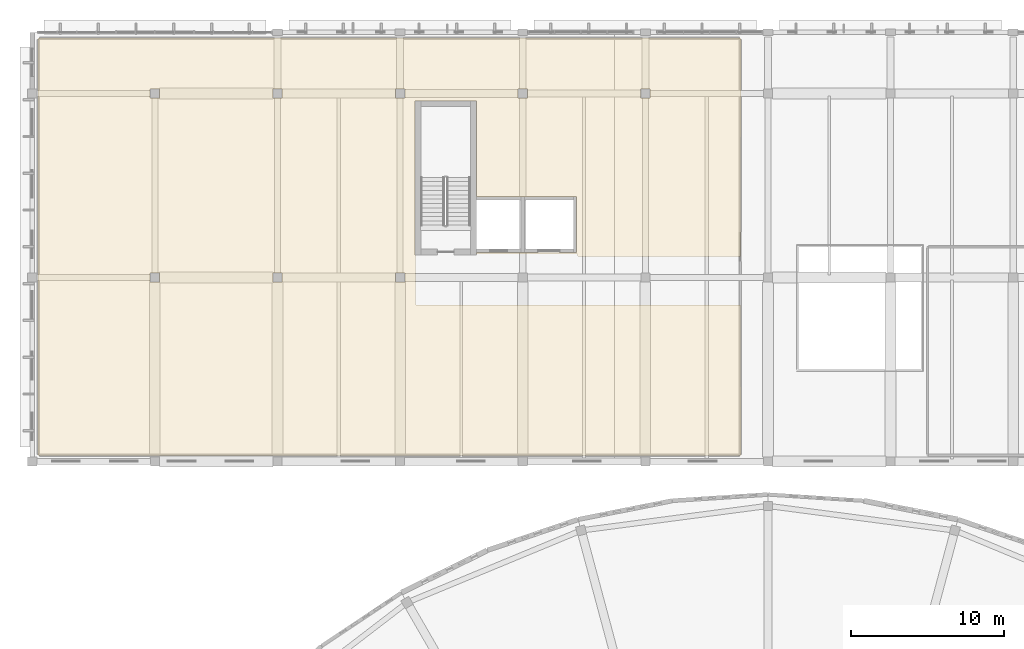
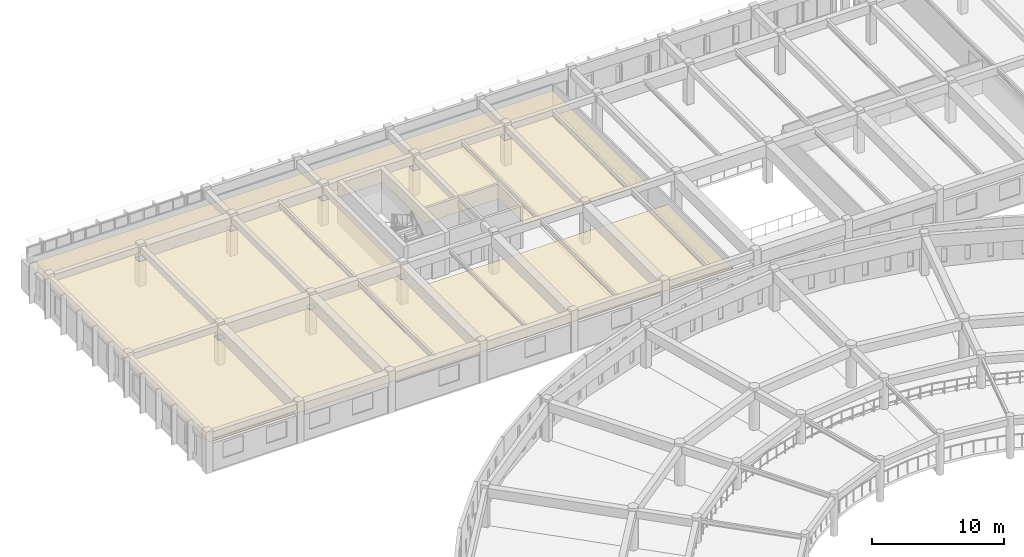
# One storey, part 88 of 98: 1 covering.
"""IFC4 building model written with IfcOpenShell, lengths in metres."""

import ifcopenshell
import ifcopenshell.guid

model = None  # the IFC model being written
_history = None  # IfcOwnerHistory: only IFC2X3 demands one
_inside = {}  # id of a spatial element -> (the spatial element, [elements in it])
_under = {}  # id of a project, library or spatial element -> (it, [spatial elements below it])
_declared = {}  # id of a project -> (the project, [libraries it declares])
_typed = {}  # id of a type object -> (the type object, [elements of that type])
_made_of = {}  # id of a material, layer set ... -> (it, [elements and type objects made of it])


def new_model(schema):
    """Start an empty IFC model of exactly this schema.

    Asked for "IFC4X3", IfcOpenShell would pick the latest addendum, in which some entities
    have other attributes; the version numbers below select the first issue.
    IFC2X3 requires an IfcOwnerHistory on every rooted entity: one is made here for all.
    """
    global model, _history
    if schema == "IFC4X3":
        model = ifcopenshell.file(schema_version=(4, 3, 0, 0))
    else:
        model = ifcopenshell.file(schema=schema)
    _inside.clear()
    _under.clear()
    _declared.clear()
    _typed.clear()
    _made_of.clear()
    _history = None
    if model.schema == "IFC2X3":
        org = make("IfcOrganization", Name="unknown")
        user = make(
            "IfcPersonAndOrganization",
            ThePerson=make("IfcPerson", FamilyName="unknown"),
            TheOrganization=org,
        )
        app = make(
            "IfcApplication",
            ApplicationDeveloper=org,
            Version="unknown",
            ApplicationFullName="unknown",
            ApplicationIdentifier="unknown",
        )
        _history = make(
            "IfcOwnerHistory",
            OwningUser=user,
            OwningApplication=app,
            ChangeAction="ADDED",
            CreationDate=0,
        )
    return model


def make(cls, **values):
    """One entity of the class cls with the attributes given. An attribute that is None is left unset."""
    return model.create_entity(
        cls, **{name: value for name, value in values.items() if value is not None}
    )


def rooted(cls, **values):
    """An entity with a GlobalId (a new one), such as an element, a storey or a relation."""
    return make(cls, GlobalId=ifcopenshell.guid.new(), OwnerHistory=_history, **values)


def si_unit(unit_type, name, prefix=None):
    """IfcSIUnit, for example si_unit("LENGTHUNIT", "METRE", prefix="MILLI")."""
    return make("IfcSIUnit", UnitType=unit_type, Prefix=prefix, Name=name)


def assignment(units):
    """IfcUnitAssignment: the units of a project."""
    return None if units is None else make("IfcUnitAssignment", Units=units)


def point(xyz):
    """IfcCartesianPoint."""
    return None if xyz is None else make("IfcCartesianPoint", Coordinates=xyz)


def direction(xyz):
    """IfcDirection."""
    return None if xyz is None else make("IfcDirection", DirectionRatios=xyz)


def frame(location, z_axis=None, x_axis=None):
    """IfcAxis2Placement3D, a coordinate frame: its origin and axes. An axis left out is left unset."""
    return make(
        "IfcAxis2Placement3D",
        Location=point(location),
        Axis=direction(z_axis),
        RefDirection=direction(x_axis),
    )


def origin():
    """The frame at (0, 0, 0) with its axes left unset."""
    return frame((0.0, 0.0, 0.0))


def place(relative_to, where):
    """IfcLocalPlacement: puts the frame where relative to a parent placement (None: the world)."""
    return make(
        "IfcLocalPlacement", PlacementRelTo=relative_to, RelativePlacement=where
    )


def context(
    kind, dimensions, precision=None, world=None, true_north=None, identifier=None
):
    """IfcGeometricRepresentationContext, for example the 3D "Model" context."""
    return make(
        "IfcGeometricRepresentationContext",
        ContextIdentifier=identifier,
        ContextType=kind,
        CoordinateSpaceDimension=dimensions,
        Precision=precision,
        WorldCoordinateSystem=world,
        TrueNorth=true_north,
    )


def subcontext(parent, identifier, kind, view, scale=None):
    """IfcGeometricRepresentationSubContext, for example "Body" below "Model"."""
    return make(
        "IfcGeometricRepresentationSubContext",
        ContextIdentifier=identifier,
        ContextType=kind,
        ParentContext=parent,
        TargetScale=scale,
        TargetView=view,
    )


def project(units=None, contexts=None):
    """IfcProject with its units and contexts."""
    return rooted(
        "IfcProject",
        Name="project",
        RepresentationContexts=contexts,
        UnitsInContext=assignment(units),
    )


def spatial(cls, under=None, at=None, **own):
    """A site, building, storey or space (cls), placed at a placement, below another one or the project."""
    s = rooted(cls, ObjectPlacement=at, **own)
    if under is not None:
        _under.setdefault(under.id(), (under, []))[1].append(s)
    return s


def polyline(points):
    """IfcPolyline through the points."""
    return make("IfcPolyline", Points=[point(p) for p in points])


def outline(outer, holes=None, kind="AREA"):
    """IfcArbitraryClosedProfileDef: a profile drawn as a closed curve; with holes, ...WithVoids."""
    if holes is None:
        return make("IfcArbitraryClosedProfileDef", ProfileType=kind, OuterCurve=outer)
    return make(
        "IfcArbitraryProfileDefWithVoids",
        ProfileType=kind,
        OuterCurve=outer,
        InnerCurves=holes,
    )


def extrude(swept, where, along, depth):
    """IfcExtrudedAreaSolid: the profile swept, set in the frame where, extruded along a direction by depth."""
    return make(
        "IfcExtrudedAreaSolid",
        SweptArea=swept,
        Position=where,
        ExtrudedDirection=direction(along),
        Depth=depth,
    )


def shape(context_of_items, identifier, shape_type, items):
    """IfcShapeRepresentation: the items that make up one representation, for example the "Body"."""
    return make(
        "IfcShapeRepresentation",
        ContextOfItems=context_of_items,
        RepresentationIdentifier=identifier,
        RepresentationType=shape_type,
        Items=items,
    )


def material(Name=None, Category=None):
    """IfcMaterial."""
    return make("IfcMaterial", Name=Name, Category=Category)


def layer(
    of_material, thickness, ventilated=None, Name=None, Category=None, Priority=None
):
    """IfcMaterialLayer: one layer of a wall or slab, of a material (None: an air gap)."""
    return make(
        "IfcMaterialLayer",
        Material=of_material,
        LayerThickness=thickness,
        IsVentilated=ventilated,
        Name=Name,
        Category=Category,
        Priority=Priority,
    )


def layer_set(layers, Name=None):
    """IfcMaterialLayerSet."""
    return make("IfcMaterialLayerSet", MaterialLayers=layers, LayerSetName=Name)


def made_of(thing, what):
    """Note that an element or type object is made of a material, layer set ...; save() writes the relation."""
    if what is not None:
        _made_of.setdefault(what.id(), (what, []))[1].append(thing)
    return thing


def type_object(cls, material=None, **own):
    """A type object (cls), such as IfcWallType, which elements share."""
    return made_of(rooted(cls, **own), material)


def element(
    cls,
    number,
    at=None,
    inside=None,
    cuts=None,
    type_object=None,
    material=None,
    context=None,
    identifier="Body",
    shape_type=None,
    held_by="IfcProductDefinitionShape",
    body=None,
    shapes=None,
    **own,
):
    """One element of the class cls, such as IfcWall. Its Tag is "e" and its number.

    at: its placement. inside: the storey or other place that contains it. cuts: it is an
    opening in that element (IfcRelVoidsElement). A single representation is given by context,
    identifier, shape_type and body (its items); several are given by shapes. held_by: the class
    of the entity that holds the representations. save() writes the other relations.
    """
    e = rooted(cls, Tag="e%d" % number, ObjectPlacement=at, **own)
    if body is not None:
        shapes = [shape(context, identifier, shape_type, body)]
    if shapes is not None:
        e.Representation = make(held_by, Representations=shapes)
    if inside is not None:
        _inside.setdefault(inside.id(), (inside, []))[1].append(e)
    if cuts is not None:
        rooted(
            "IfcRelVoidsElement", RelatingBuildingElement=cuts, RelatedOpeningElement=e
        )
    if type_object is not None:
        _typed.setdefault(type_object.id(), (type_object, []))[1].append(e)
    return made_of(e, material)


def aggregate(whole, parts):
    """IfcRelAggregates: a whole, such as a stair, and the parts it consists of."""
    return rooted("IfcRelAggregates", RelatingObject=whole, RelatedObjects=parts)


def save(model, path):
    """Write the relations noted so far, then the file.

    IfcRelAggregates (storeys below a building ...), IfcRelContainedInSpatialStructure (elements
    in a storey), IfcRelDefinesByType, IfcRelAssociatesMaterial and IfcRelDeclares: one each for
    every whole, place, type object, material and project.
    """
    for whole, parts in _under.values():
        aggregate(whole, parts)
    for where, things in _inside.values():
        rooted(
            "IfcRelContainedInSpatialStructure",
            RelatedElements=things,
            RelatingStructure=where,
        )
    for kind, things in _typed.values():
        rooted("IfcRelDefinesByType", RelatedObjects=things, RelatingType=kind)
    for what, things in _made_of.values():
        rooted("IfcRelAssociatesMaterial", RelatedObjects=things, RelatingMaterial=what)
    for by, libraries in _declared.values():
        rooted("IfcRelDeclares", RelatingContext=by, RelatedDefinitions=libraries)
    model.write(path)


model = new_model("IFC4")

# Units and contexts
model_context = context("Model", 3, precision=1e-05, world=origin(), true_north=direction((0.0, 1.0)))
body_context = subcontext(model_context, "Body", "Model", "MODEL_VIEW")
ifc_project = project(units=[si_unit("LENGTHUNIT", "METRE"), si_unit("AREAUNIT", "SQUARE_METRE"), si_unit("VOLUMEUNIT", "CUBIC_METRE"), si_unit("PLANEANGLEUNIT", "RADIAN"), si_unit("MASSUNIT", "GRAM", prefix="KILO")], contexts=[model_context])

# Site, building, storey
site_placement = place(None, origin())
site = spatial("IfcSite", under=ifc_project, at=site_placement, CompositionType="ELEMENT")
building_placement = place(site_placement, origin())
building = spatial("IfcBuilding", under=site, at=building_placement, Name="Larkveld Mobility Hub", CompositionType="ELEMENT")
storey_placement = place(building_placement, frame((0.0, 0.0, 4.5)))
storey = spatial("IfcBuildingStorey", under=building, at=storey_placement, Name="L01", CompositionType="ELEMENT", Elevation=4.5)

# Covering
ifc_material = material(Name="Perforated mineral-fibre acoustic ceiling", Category="masonry")
ifc_layer = layer(ifc_material, 0.02001953125, Name="Perforated mineral-fibre acoustic ceiling", Category="masonry")
ifc_layer_set = layer_set([ifc_layer], Name="Perforated mineral-fibre acoustic ceiling")
covering_type = type_object("IfcCoveringType", Name="CV-CLG-020", PredefinedType="CEILING", material=ifc_layer_set)
covering_placement = place(storey_placement, frame((0.0, 0.0, 2.330078125)))
element("IfcCovering", 1, at=covering_placement, inside=storey, type_object=covering_type, Name="Upper Commuter Bicycle Mezzanine Hall Acoustic Ceiling 018", PredefinedType="CEILING", context=body_context, shape_type="SweptSolid", body=[
    extrude(outline(polyline([(24.97900390625, 111.468017578125), (24.98193359375, 111.468017578125), (24.98388671875, 111.468017578125), (24.987060546875, 111.467041015625), (24.989990234375, 111.466064453125), (24.991943359375, 111.465087890625), (24.9951171875, 111.462890625), (24.9970703125, 111.4609375), (24.9990234375, 111.4599609375), (25.0009765625, 111.45703125), (25.0029296875, 111.455078125), (25.014892578125, 111.43701171875), (25.01611328125, 111.43408203125), (25.01806640625, 111.430908203125), (25.01904296875, 111.428955078125), (25.01904296875, 111.426025390625), (25.02001953125, 111.423095703125), (25.02001953125, 111.419921875), (25.02001953125, 108.23193359375), (25.031005859375, 108.219970703125), (46.19091796875, 108.217041015625), (46.194091796875, 108.217041015625), (46.197021484375, 108.216064453125), (46.199951171875, 108.215087890625), (46.202880859375, 108.214111328125), (46.205078125, 108.212890625), (46.2080078125, 108.2119140625), (46.2099609375, 108.2099609375), (46.2119140625, 108.2080078125), (46.214111328125, 108.2060546875), (46.216064453125, 108.202880859375), (46.218017578125, 108.200927734375), (46.218994140625, 108.197998046875), (46.219970703125, 108.195068359375), (46.220947265625, 108.193115234375), (46.220947265625, 108.18994140625), (46.220947265625, 108.18701171875), (46.22705078125, 98.408935546875), (46.22607421875, 98.406005859375), (46.22607421875, 98.403076171875), (46.22509765625, 98.39990234375), (46.22412109375, 98.39697265625), (46.222900390625, 98.39501953125), (46.221923828125, 98.39208984375), (46.219970703125, 98.389892578125), (46.218017578125, 98.387939453125), (46.216064453125, 98.385986328125), (46.212890625, 98.384033203125), (46.2109375, 98.382080078125), (46.2080078125, 98.381103515625), (46.205078125, 98.3798828125), (46.201904296875, 98.37890625), (46.199951171875, 98.37890625), (46.197021484375, 98.37890625), (0.410888671875, 98.3720703125), (0.407958984375, 98.3720703125), (0.405029296875, 98.373046875), (0.402099609375, 98.3740234375), (0.39990234375, 98.3740234375), (0.39697265625, 98.3759765625), (0.39501953125, 98.376953125), (0.39208984375, 98.37890625), (0.389892578125, 98.3798828125), (0.387939453125, 98.382080078125), (0.385986328125, 98.385009765625), (0.385009765625, 98.386962890625), (0.3740234375, 98.405029296875), (0.373046875, 98.406982421875), (0.3720703125, 98.408935546875), (0.37109375, 98.412109375), (0.3701171875, 98.4150390625), (0.3701171875, 98.4169921875), (0.3701171875, 98.419921875), (0.3720703125, 125.589111328125), (0.373046875, 125.593017578125), (0.373046875, 125.595947265625), (0.3740234375, 125.59912109375), (0.375, 125.60107421875), (0.3759765625, 125.60400390625), (0.3779296875, 125.60693359375), (0.3798828125, 125.60888671875), (0.382080078125, 125.611083984375), (0.384033203125, 125.613037109375), (0.386962890625, 125.614990234375), (0.405029296875, 125.6259765625), (0.406982421875, 125.626953125), (0.408935546875, 125.6279296875), (0.412109375, 125.62890625), (0.4150390625, 125.6298828125), (0.4169921875, 125.6298828125), (0.419921875, 125.6298828125), (46.197021484375, 125.62109375), (46.199951171875, 125.62109375), (46.201904296875, 125.62109375), (46.205078125, 125.6201171875), (46.2080078125, 125.618896484375), (46.2109375, 125.617919921875), (46.212890625, 125.615966796875), (46.216064453125, 125.614013671875), (46.218017578125, 125.612060546875), (46.219970703125, 125.610107421875), (46.221923828125, 125.60791015625), (46.222900390625, 125.60498046875), (46.22412109375, 125.60302734375), (46.22509765625, 125.60009765625), (46.22607421875, 125.596923828125), (46.22607421875, 125.593994140625), (46.22705078125, 125.591064453125), (46.220947265625, 111.4130859375), (46.220947265625, 111.409912109375), (46.220947265625, 111.407958984375), (46.219970703125, 111.405029296875), (46.218994140625, 111.402099609375), (46.218017578125, 111.39892578125), (46.216064453125, 111.39697265625), (46.214111328125, 111.39404296875), (46.2119140625, 111.39208984375), (46.2099609375, 111.389892578125), (46.2080078125, 111.387939453125), (46.205078125, 111.386962890625), (46.202880859375, 111.385986328125), (46.199951171875, 111.385009765625), (46.197021484375, 111.384033203125), (46.194091796875, 111.384033203125), (46.19091796875, 111.383056640625), (35.6298828125, 111.3798828125), (35.626953125, 111.3798828125), (35.625, 111.381103515625), (35.6220703125, 111.381103515625), (35.618896484375, 111.382080078125), (35.615966796875, 111.384033203125), (35.614013671875, 111.385009765625), (35.611083984375, 111.386962890625), (35.592041015625, 111.403076171875), (35.590087890625, 111.405029296875), (35.587890625, 111.406982421875), (35.5859375, 111.408935546875), (35.583984375, 111.412109375), (35.5830078125, 111.4140625), (35.58203125, 111.4169921875), (35.5810546875, 111.419921875), (35.5810546875, 111.423095703125), (35.5810546875, 111.426025390625), (35.5791015625, 111.52099609375), (35.569091796875, 111.530029296875), (29.02099609375, 111.531982421875), (29.01806640625, 111.532958984375), (29.014892578125, 111.532958984375), (29.011962890625, 111.533935546875), (29.009033203125, 111.534912109375), (29.007080078125, 111.535888671875), (29.00390625, 111.537109375), (29.001953125, 111.5390625), (29.0, 111.541015625), (28.998046875, 111.54296875), (28.99609375, 111.544921875), (28.993896484375, 111.548095703125), (28.992919921875, 111.550048828125), (28.991943359375, 111.552978515625), (28.98193359375, 111.5849609375), (28.98095703125, 111.587890625), (28.98095703125, 111.591064453125), (28.97998046875, 111.593017578125), (28.97998046875, 111.595947265625), (28.98095703125, 111.59912109375), (28.98193359375, 111.60205078125), (28.98291015625, 111.60498046875), (28.98388671875, 111.60791015625), (28.985107421875, 111.610107421875), (28.987060546875, 111.613037109375), (28.989013671875, 111.614990234375), (28.990966796875, 111.616943359375), (29.010986328125, 111.633056640625), (29.012939453125, 111.635009765625), (29.01611328125, 111.635986328125), (29.01904296875, 111.637939453125), (29.02099609375, 111.638916015625), (29.02392578125, 111.638916015625), (29.027099609375, 111.639892578125), (29.030029296875, 111.639892578125), (35.510009765625, 111.639892578125), (35.510009765625, 115.260009765625), (29.01611328125, 115.26611328125), (29.012939453125, 115.26611328125), (29.010009765625, 115.26611328125), (29.007080078125, 115.26708984375), (29.00390625, 115.26806640625), (29.001953125, 115.26904296875), (28.9990234375, 115.27099609375), (28.9970703125, 115.27294921875), (28.9951171875, 115.27490234375), (28.992919921875, 115.277099609375), (28.990966796875, 115.279052734375), (28.989013671875, 115.281982421875), (28.988037109375, 115.283935546875), (28.987060546875, 115.287109375), (28.986083984375, 115.2900390625), (28.986083984375, 115.29296875), (28.986083984375, 115.2958984375), (28.97998046875, 121.530029296875), (24.969970703125, 121.530029296875), (24.969970703125, 111.468994140625), (24.97900390625, 111.468017578125)]), holes=[polyline([(8.304931640625, 110.304931640625), (7.695068359375, 110.304931640625), (7.695068359375, 109.695068359375), (8.304931640625, 109.695068359375), (8.304931640625, 110.304931640625)]), polyline([(16.304931640625, 110.304931640625), (15.695068359375, 110.304931640625), (15.695068359375, 109.695068359375), (16.304931640625, 109.695068359375), (16.304931640625, 110.304931640625)]), polyline([(24.304931640625, 110.304931640625), (23.695068359375, 110.304931640625), (23.695068359375, 109.695068359375), (24.304931640625, 109.695068359375), (24.304931640625, 110.304931640625)]), polyline([(8.304931640625, 122.304931640625), (7.695068359375, 122.304931640625), (7.695068359375, 121.695068359375), (8.304931640625, 121.695068359375), (8.304931640625, 122.304931640625)]), polyline([(16.304931640625, 122.304931640625), (15.695068359375, 122.304931640625), (15.695068359375, 121.695068359375), (16.304931640625, 121.695068359375), (16.304931640625, 122.304931640625)]), polyline([(24.304931640625, 122.304931640625), (23.695068359375, 122.304931640625), (23.695068359375, 121.695068359375), (24.304931640625, 121.695068359375), (24.304931640625, 122.304931640625)]), polyline([(32.304931640625, 122.304931640625), (31.695068359375, 122.304931640625), (31.695068359375, 121.695068359375), (32.304931640625, 121.695068359375), (32.304931640625, 122.304931640625)]), polyline([(40.304931640625, 122.304931640625), (39.695068359375, 122.304931640625), (39.695068359375, 121.695068359375), (40.304931640625, 121.695068359375), (40.304931640625, 122.304931640625)])]), origin(), (0.0, 0.0, 1.0), 0.02001953125),
])

save(model, "model.ifc")
